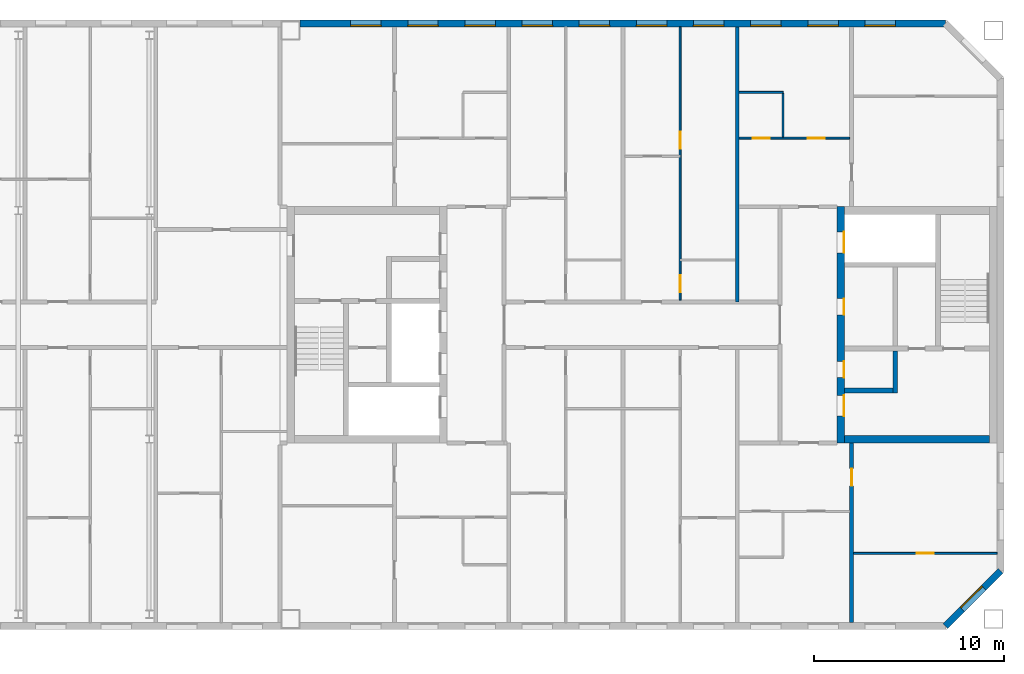
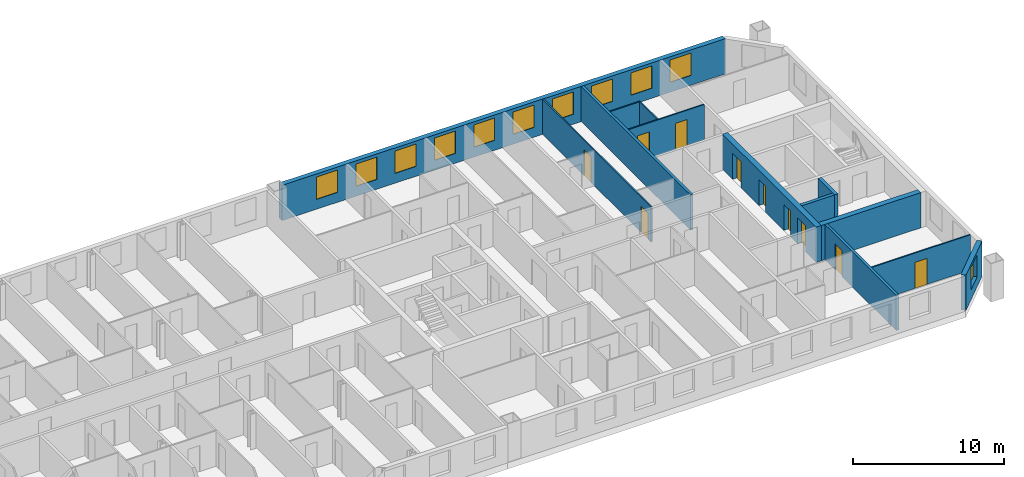
# One storey, part 16 of 19: 13 walls, 11 windows, 10 doors, 21 openings.
"""IFC4 building model written with IfcOpenShell, lengths in metres."""

from ifc_helpers import new_model, si_unit, direction, frame, frame_2d, origin, place, context, subcontext, project, spatial, rectangle, extrude, material, layer, layer_set, type_object, element, fill, save


model = new_model("IFC4")

# Units and contexts
model_context = context("Model", 3, precision=1e-05, world=origin(), true_north=direction((0.0, 1.0)))
body_context = subcontext(model_context, "Body", "Model", "MODEL_VIEW")
ifc_project = project(units=[si_unit("LENGTHUNIT", "METRE"), si_unit("AREAUNIT", "SQUARE_METRE"), si_unit("VOLUMEUNIT", "CUBIC_METRE"), si_unit("PLANEANGLEUNIT", "RADIAN"), si_unit("MASSUNIT", "GRAM", prefix="KILO")], contexts=[model_context])

# Site, building, storey
site_placement = place(None, origin())
site = spatial("IfcSite", under=ifc_project, at=site_placement, CompositionType="ELEMENT")
building_placement = place(site_placement, origin())
building = spatial("IfcBuilding", under=site, at=building_placement, Name="Tuart Gate Housing", CompositionType="ELEMENT")
storey_placement = place(building_placement, frame((0.0, 0.0, 202.800048828125)))
storey = spatial("IfcBuildingStorey", under=building, at=storey_placement, Name="L57", CompositionType="ELEMENT", Elevation=202.800048828125)

# Wall, opening, window
ifc_material_1 = material(Name="Brick", Category="masonry")
ifc_layer_1 = layer(ifc_material_1, 0.360107421875)
ifc_layer_set_1 = layer_set([ifc_layer_1], Name="Brick pier and spandrel wall 360")
wall_type_1 = type_object("IfcWallType", Name="Brick pier and spandrel wall 360", PredefinedType="STANDARD", material=ifc_layer_set_1)
wall_1_placement = place(storey_placement, frame((165.92529296875, 54.179931640625, 0.0), z_axis=(0.0, 0.0, 1.0), x_axis=(0.707106781187, 0.707106781187, 0.0)))
wall_1 = element("IfcWall", 1, at=wall_1_placement, inside=storey, type_object=wall_type_1, Name="External wall BLK-SE L57", PredefinedType="STANDARD", context=body_context, shape_type="SweptSolid", body=[
    extrude(rectangle(XDim=4.09375, YDim=0.360107421875, at=frame_2d((2.046875, 0.0))), origin(), (0.0, 0.0, 1.0), 2.849853515625),
])
opening_1_placement = place(wall_1_placement, frame((1.2470703125, 0.0, 0.800048828125)))
opening_1 = element("IfcOpeningElement", 2, at=opening_1_placement, cuts=wall_1, Name="Opening W1", PredefinedType="OPENING", context=body_context, shape_type="SweptSolid", body=[
    extrude(rectangle(XDim=1.60009765625, YDim=1.800048828125, at=frame_2d((0.800048828125, 0.89990234375))), frame((0.0, 0.18994140625, 0.0), z_axis=(0.0, -1.0, 0.0), x_axis=(1.0, 0.0, 0.0)), (0.0, 0.0, 1.0), 0.380126953125),
])
ifc_material_2 = material(Name="Aluminium frame with clear glass", Category="aluminium")
window_type = type_object("IfcWindowType", Name="Punched window 1600 x 1800", PartitioningType="SINGLE_PANEL", PredefinedType="WINDOW", material=ifc_material_2)
window_1_placement = place(opening_1_placement, origin())
window_1 = element("IfcWindow", 3, at=window_1_placement, inside=storey, type_object=window_type, Name="Window W1", OverallHeight=1.800048828125, OverallWidth=1.60009765625, PartitioningType="SINGLE_PANEL", PredefinedType="WINDOW", context=body_context, shape_type="SweptSolid", body=[
    extrude(rectangle(XDim=1.60009765625, YDim=1.800048828125, at=frame_2d((0.800048828125, 0.89990234375))), frame((0.0, 0.150146484375, 0.0), z_axis=(0.0, -1.0, 0.0), x_axis=(1.0, 0.0, 0.0)), (0.0, 0.0, 1.0), 0.06005859375),
])
fill(opening_1, window_1)

# Wall, openings, windows
wall_2_placement = place(storey_placement, frame((165.92529296875, 85.820068359375, 0.0), z_axis=(0.0, 0.0, 1.0), x_axis=(-1.0, 0.0, 0.0)))
wall_2 = element("IfcWall", 4, at=wall_2_placement, inside=storey, type_object=wall_type_1, Name="External wall BLK-N L57", PredefinedType="STANDARD", context=body_context, shape_type="SweptSolid", body=[
    extrude(rectangle(XDim=33.875244140625, YDim=0.360107421875, at=frame_2d((16.9375, 0.0))), origin(), (0.0, 0.0, 1.0), 2.849853515625),
])
opening_2_placement = place(wall_2_placement, frame((2.62548828125, 0.0, 0.800048828125)))
opening_2 = element("IfcOpeningElement", 5, at=opening_2_placement, cuts=wall_2, Name="Opening W1", PredefinedType="OPENING", context=body_context, shape_type="SweptSolid", body=[
    extrude(rectangle(XDim=1.60009765625, YDim=1.800048828125, at=frame_2d((0.800048828125, 0.89990234375))), frame((0.0, 0.18994140625, 0.0), z_axis=(0.0, -1.0, 0.0), x_axis=(1.0, 0.0, 0.0)), (0.0, 0.0, 1.0), 0.380126953125),
])
opening_3_placement = place(wall_2_placement, frame((5.62548828125, 0.0, 0.800048828125)))
opening_3 = element("IfcOpeningElement", 6, at=opening_3_placement, cuts=wall_2, Name="Opening W1", PredefinedType="OPENING", context=body_context, shape_type="SweptSolid", body=[
    extrude(rectangle(XDim=1.60009765625, YDim=1.800048828125, at=frame_2d((0.800048828125, 0.89990234375))), frame((0.0, 0.18994140625, 0.0), z_axis=(0.0, -1.0, 0.0), x_axis=(1.0, 0.0, 0.0)), (0.0, 0.0, 1.0), 0.380126953125),
])
opening_4_placement = place(wall_2_placement, frame((8.62548828125, 0.0, 0.800048828125)))
opening_4 = element("IfcOpeningElement", 7, at=opening_4_placement, cuts=wall_2, Name="Opening W1", PredefinedType="OPENING", context=body_context, shape_type="SweptSolid", body=[
    extrude(rectangle(XDim=1.60009765625, YDim=1.800048828125, at=frame_2d((0.800048828125, 0.89990234375))), frame((0.0, 0.18994140625, 0.0), z_axis=(0.0, -1.0, 0.0), x_axis=(1.0, 0.0, 0.0)), (0.0, 0.0, 1.0), 0.380126953125),
])
opening_5_placement = place(wall_2_placement, frame((11.62548828125, 0.0, 0.800048828125)))
opening_5 = element("IfcOpeningElement", 8, at=opening_5_placement, cuts=wall_2, Name="Opening W1", PredefinedType="OPENING", context=body_context, shape_type="SweptSolid", body=[
    extrude(rectangle(XDim=1.60009765625, YDim=1.800048828125, at=frame_2d((0.800048828125, 0.89990234375))), frame((0.0, 0.18994140625, 0.0), z_axis=(0.0, -1.0, 0.0), x_axis=(1.0, 0.0, 0.0)), (0.0, 0.0, 1.0), 0.380126953125),
])
opening_6_placement = place(wall_2_placement, frame((14.62548828125, 0.0, 0.800048828125)))
opening_6 = element("IfcOpeningElement", 9, at=opening_6_placement, cuts=wall_2, Name="Opening W1", PredefinedType="OPENING", context=body_context, shape_type="SweptSolid", body=[
    extrude(rectangle(XDim=1.60009765625, YDim=1.800048828125, at=frame_2d((0.800048828125, 0.89990234375))), frame((0.0, 0.18994140625, 0.0), z_axis=(0.0, -1.0, 0.0), x_axis=(1.0, 0.0, 0.0)), (0.0, 0.0, 1.0), 0.380126953125),
])
opening_7_placement = place(wall_2_placement, frame((17.62548828125, 0.0, 0.800048828125)))
opening_7 = element("IfcOpeningElement", 10, at=opening_7_placement, cuts=wall_2, Name="Opening W1", PredefinedType="OPENING", context=body_context, shape_type="SweptSolid", body=[
    extrude(rectangle(XDim=1.60009765625, YDim=1.800048828125, at=frame_2d((0.800048828125, 0.89990234375))), frame((0.0, 0.18994140625, 0.0), z_axis=(0.0, -1.0, 0.0), x_axis=(1.0, 0.0, 0.0)), (0.0, 0.0, 1.0), 0.380126953125),
])
opening_8_placement = place(wall_2_placement, frame((20.62548828125, 0.0, 0.800048828125)))
opening_8 = element("IfcOpeningElement", 11, at=opening_8_placement, cuts=wall_2, Name="Opening W1", PredefinedType="OPENING", context=body_context, shape_type="SweptSolid", body=[
    extrude(rectangle(XDim=1.60009765625, YDim=1.800048828125, at=frame_2d((0.800048828125, 0.89990234375))), frame((0.0, 0.18994140625, 0.0), z_axis=(0.0, -1.0, 0.0), x_axis=(1.0, 0.0, 0.0)), (0.0, 0.0, 1.0), 0.380126953125),
])
opening_9_placement = place(wall_2_placement, frame((23.62548828125, 0.0, 0.800048828125)))
opening_9 = element("IfcOpeningElement", 12, at=opening_9_placement, cuts=wall_2, Name="Opening W1", PredefinedType="OPENING", context=body_context, shape_type="SweptSolid", body=[
    extrude(rectangle(XDim=1.60009765625, YDim=1.800048828125, at=frame_2d((0.800048828125, 0.89990234375))), frame((0.0, 0.18994140625, 0.0), z_axis=(0.0, -1.0, 0.0), x_axis=(1.0, 0.0, 0.0)), (0.0, 0.0, 1.0), 0.380126953125),
])
opening_10_placement = place(wall_2_placement, frame((26.62548828125, 0.0, 0.800048828125)))
opening_10 = element("IfcOpeningElement", 13, at=opening_10_placement, cuts=wall_2, Name="Opening W1", PredefinedType="OPENING", context=body_context, shape_type="SweptSolid", body=[
    extrude(rectangle(XDim=1.60009765625, YDim=1.800048828125, at=frame_2d((0.800048828125, 0.89990234375))), frame((0.0, 0.18994140625, 0.0), z_axis=(0.0, -1.0, 0.0), x_axis=(1.0, 0.0, 0.0)), (0.0, 0.0, 1.0), 0.380126953125),
])
opening_11_placement = place(wall_2_placement, frame((29.62548828125, 0.0, 0.800048828125)))
opening_11 = element("IfcOpeningElement", 14, at=opening_11_placement, cuts=wall_2, Name="Opening W1", PredefinedType="OPENING", context=body_context, shape_type="SweptSolid", body=[
    extrude(rectangle(XDim=1.60009765625, YDim=1.800048828125, at=frame_2d((0.800048828125, 0.89990234375))), frame((0.0, 0.18994140625, 0.0), z_axis=(0.0, -1.0, 0.0), x_axis=(1.0, 0.0, 0.0)), (0.0, 0.0, 1.0), 0.380126953125),
])
window_2_placement = place(opening_2_placement, origin())
window_2 = element("IfcWindow", 15, at=window_2_placement, inside=storey, type_object=window_type, Name="Window W1", OverallHeight=1.800048828125, OverallWidth=1.60009765625, PartitioningType="SINGLE_PANEL", PredefinedType="WINDOW", context=body_context, shape_type="SweptSolid", body=[
    extrude(rectangle(XDim=1.60009765625, YDim=1.800048828125, at=frame_2d((0.800048828125, 0.89990234375))), frame((0.0, 0.150146484375, 0.0), z_axis=(0.0, -1.0, 0.0), x_axis=(1.0, 0.0, 0.0)), (0.0, 0.0, 1.0), 0.06005859375),
])
fill(opening_2, window_2)
window_3_placement = place(opening_3_placement, origin())
window_3 = element("IfcWindow", 16, at=window_3_placement, inside=storey, type_object=window_type, Name="Window W1", OverallHeight=1.800048828125, OverallWidth=1.60009765625, PartitioningType="SINGLE_PANEL", PredefinedType="WINDOW", context=body_context, shape_type="SweptSolid", body=[
    extrude(rectangle(XDim=1.60009765625, YDim=1.800048828125, at=frame_2d((0.800048828125, 0.89990234375))), frame((0.0, 0.150146484375, 0.0), z_axis=(0.0, -1.0, 0.0), x_axis=(1.0, 0.0, 0.0)), (0.0, 0.0, 1.0), 0.06005859375),
])
fill(opening_3, window_3)
window_4_placement = place(opening_4_placement, origin())
window_4 = element("IfcWindow", 17, at=window_4_placement, inside=storey, type_object=window_type, Name="Window W1", OverallHeight=1.800048828125, OverallWidth=1.60009765625, PartitioningType="SINGLE_PANEL", PredefinedType="WINDOW", context=body_context, shape_type="SweptSolid", body=[
    extrude(rectangle(XDim=1.60009765625, YDim=1.800048828125, at=frame_2d((0.800048828125, 0.89990234375))), frame((0.0, 0.150146484375, 0.0), z_axis=(0.0, -1.0, 0.0), x_axis=(1.0, 0.0, 0.0)), (0.0, 0.0, 1.0), 0.06005859375),
])
fill(opening_4, window_4)
window_5_placement = place(opening_5_placement, origin())
window_5 = element("IfcWindow", 18, at=window_5_placement, inside=storey, type_object=window_type, Name="Window W1", OverallHeight=1.800048828125, OverallWidth=1.60009765625, PartitioningType="SINGLE_PANEL", PredefinedType="WINDOW", context=body_context, shape_type="SweptSolid", body=[
    extrude(rectangle(XDim=1.60009765625, YDim=1.800048828125, at=frame_2d((0.800048828125, 0.89990234375))), frame((0.0, 0.150146484375, 0.0), z_axis=(0.0, -1.0, 0.0), x_axis=(1.0, 0.0, 0.0)), (0.0, 0.0, 1.0), 0.06005859375),
])
fill(opening_5, window_5)
window_6_placement = place(opening_6_placement, origin())
window_6 = element("IfcWindow", 19, at=window_6_placement, inside=storey, type_object=window_type, Name="Window W1", OverallHeight=1.800048828125, OverallWidth=1.60009765625, PartitioningType="SINGLE_PANEL", PredefinedType="WINDOW", context=body_context, shape_type="SweptSolid", body=[
    extrude(rectangle(XDim=1.60009765625, YDim=1.800048828125, at=frame_2d((0.800048828125, 0.89990234375))), frame((0.0, 0.150146484375, 0.0), z_axis=(0.0, -1.0, 0.0), x_axis=(1.0, 0.0, 0.0)), (0.0, 0.0, 1.0), 0.06005859375),
])
fill(opening_6, window_6)
window_7_placement = place(opening_7_placement, origin())
window_7 = element("IfcWindow", 20, at=window_7_placement, inside=storey, type_object=window_type, Name="Window W1", OverallHeight=1.800048828125, OverallWidth=1.60009765625, PartitioningType="SINGLE_PANEL", PredefinedType="WINDOW", context=body_context, shape_type="SweptSolid", body=[
    extrude(rectangle(XDim=1.60009765625, YDim=1.800048828125, at=frame_2d((0.800048828125, 0.89990234375))), frame((0.0, 0.150146484375, 0.0), z_axis=(0.0, -1.0, 0.0), x_axis=(1.0, 0.0, 0.0)), (0.0, 0.0, 1.0), 0.06005859375),
])
fill(opening_7, window_7)
window_8_placement = place(opening_8_placement, origin())
window_8 = element("IfcWindow", 21, at=window_8_placement, inside=storey, type_object=window_type, Name="Window W1", OverallHeight=1.800048828125, OverallWidth=1.60009765625, PartitioningType="SINGLE_PANEL", PredefinedType="WINDOW", context=body_context, shape_type="SweptSolid", body=[
    extrude(rectangle(XDim=1.60009765625, YDim=1.800048828125, at=frame_2d((0.800048828125, 0.89990234375))), frame((0.0, 0.150146484375, 0.0), z_axis=(0.0, -1.0, 0.0), x_axis=(1.0, 0.0, 0.0)), (0.0, 0.0, 1.0), 0.06005859375),
])
fill(opening_8, window_8)
window_9_placement = place(opening_9_placement, origin())
window_9 = element("IfcWindow", 22, at=window_9_placement, inside=storey, type_object=window_type, Name="Window W1", OverallHeight=1.800048828125, OverallWidth=1.60009765625, PartitioningType="SINGLE_PANEL", PredefinedType="WINDOW", context=body_context, shape_type="SweptSolid", body=[
    extrude(rectangle(XDim=1.60009765625, YDim=1.800048828125, at=frame_2d((0.800048828125, 0.89990234375))), frame((0.0, 0.150146484375, 0.0), z_axis=(0.0, -1.0, 0.0), x_axis=(1.0, 0.0, 0.0)), (0.0, 0.0, 1.0), 0.06005859375),
])
fill(opening_9, window_9)
window_10_placement = place(opening_10_placement, origin())
window_10 = element("IfcWindow", 23, at=window_10_placement, inside=storey, type_object=window_type, Name="Window W1", OverallHeight=1.800048828125, OverallWidth=1.60009765625, PartitioningType="SINGLE_PANEL", PredefinedType="WINDOW", context=body_context, shape_type="SweptSolid", body=[
    extrude(rectangle(XDim=1.60009765625, YDim=1.800048828125, at=frame_2d((0.800048828125, 0.89990234375))), frame((0.0, 0.150146484375, 0.0), z_axis=(0.0, -1.0, 0.0), x_axis=(1.0, 0.0, 0.0)), (0.0, 0.0, 1.0), 0.06005859375),
])
fill(opening_10, window_10)
window_11_placement = place(opening_11_placement, origin())
window_11 = element("IfcWindow", 24, at=window_11_placement, inside=storey, type_object=window_type, Name="Window W1", OverallHeight=1.800048828125, OverallWidth=1.60009765625, PartitioningType="SINGLE_PANEL", PredefinedType="WINDOW", context=body_context, shape_type="SweptSolid", body=[
    extrude(rectangle(XDim=1.60009765625, YDim=1.800048828125, at=frame_2d((0.800048828125, 0.89990234375))), frame((0.0, 0.150146484375, 0.0), z_axis=(0.0, -1.0, 0.0), x_axis=(1.0, 0.0, 0.0)), (0.0, 0.0, 1.0), 0.06005859375),
])
fill(opening_11, window_11)

# Walls
ifc_material_3 = material(Name="Concrete C40", Category="concrete")
ifc_layer_2 = layer(ifc_material_3, 0.25)
ifc_layer_set_2 = layer_set([ifc_layer_2], Name="Core wall 250 C40")
wall_type_2 = type_object("IfcWallType", Name="Core wall 250 C40", PredefinedType="SHEAR", material=ifc_layer_set_2)
wall_3_placement = place(storey_placement, frame((160.639892578125, 66.550048828125, 0.0), z_axis=(0.0, 0.0, 1.0), x_axis=(1.0, 0.0, 0.0)))
element("IfcWall", 25, at=wall_3_placement, inside=storey, type_object=wall_type_2, Name="Core wall BK.3", PredefinedType="SHEAR", context=body_context, shape_type="SweptSolid", body=[
    extrude(rectangle(XDim=2.525146484375, YDim=0.25, at=frame_2d((1.2626953125, 0.0))), origin(), (0.0, 0.0, 1.0), 2.849853515625),
])
wall_4_placement = place(storey_placement, frame((163.2900390625, 68.625, 0.0), z_axis=(0.0, 0.0, 1.0), x_axis=(0.0, -1.0, 0.0)))
element("IfcWall", 26, at=wall_4_placement, inside=storey, type_object=wall_type_2, Name="Core wall BK.5", PredefinedType="SHEAR", context=body_context, shape_type="SweptSolid", body=[
    extrude(rectangle(XDim=2.199951171875, YDim=0.25, at=frame_2d((1.10009765625, 0.0))), origin(), (0.0, 0.0, 1.0), 2.849853515625),
])

# Wall, openings, doors
ifc_material_4 = material(Name="Concrete C40", Category="concrete")
ifc_layer_3 = layer(ifc_material_4, 0.39990234375)
ifc_layer_set_3 = layer_set([ifc_layer_3], Name="Core wall 400 C40")
wall_type_3 = type_object("IfcWallType", Name="Core wall 400 C40", PredefinedType="SHEAR", material=ifc_layer_set_3)
wall_5_placement = place(storey_placement, frame((160.43994140625, 76.199951171875, 0.0), z_axis=(0.0, 0.0, 1.0), x_axis=(0.0, -1.0, 0.0)))
wall_5 = element("IfcWall", 27, at=wall_5_placement, inside=storey, type_object=wall_type_3, Name="Core wall BK front", PredefinedType="SHEAR", context=body_context, shape_type="SweptSolid", body=[
    extrude(rectangle(XDim=12.39990234375, YDim=0.39990234375, at=frame_2d((6.199951171875, 0.0))), origin(), (0.0, 0.0, 1.0), 2.849853515625),
])
opening_12_placement = place(wall_5_placement, frame((1.324951171875, 0.0, 0.0)))
opening_12 = element("IfcOpeningElement", 28, at=opening_12_placement, cuts=wall_5, Name="Opening LD-FB2", PredefinedType="OPENING", context=body_context, shape_type="SweptSolid", body=[
    extrude(rectangle(XDim=1.10009765625, YDim=2.10009765625, at=frame_2d((0.550048828125, 1.050048828125))), frame((0.0, 0.2099609375, 0.0), z_axis=(0.0, -1.0, 0.0), x_axis=(1.0, 0.0, 0.0)), (0.0, 0.0, 1.0), 0.419921875),
])
opening_13_placement = place(wall_5_placement, frame((4.824951171875, 0.0, 0.0)))
opening_13 = element("IfcOpeningElement", 29, at=opening_13_placement, cuts=wall_5, Name="Opening D2086", PredefinedType="OPENING", context=body_context, shape_type="SweptSolid", body=[
    extrude(rectangle(XDim=0.85009765625, YDim=2.10009765625, at=frame_2d((0.425048828125, 1.050048828125))), frame((0.0, 0.2099609375, 0.0), z_axis=(0.0, -1.0, 0.0), x_axis=(1.0, 0.0, 0.0)), (0.0, 0.0, 1.0), 0.419921875),
])
opening_14_placement = place(wall_5_placement, frame((9.89990234375, 0.0, 0.0)))
opening_14 = element("IfcOpeningElement", 30, at=opening_14_placement, cuts=wall_5, Name="Opening D2085", PredefinedType="OPENING", context=body_context, shape_type="SweptSolid", body=[
    extrude(rectangle(XDim=1.10009765625, YDim=2.10009765625, at=frame_2d((0.550048828125, 1.050048828125))), frame((0.0, 0.2099609375, 0.0), z_axis=(0.0, -1.0, 0.0), x_axis=(1.0, 0.0, 0.0)), (0.0, 0.0, 1.0), 0.419921875),
])
opening_15_placement = place(wall_5_placement, frame((8.125, 0.0, 0.0)))
opening_15 = element("IfcOpeningElement", 31, at=opening_15_placement, cuts=wall_5, Name="Opening D2087", PredefinedType="OPENING", context=body_context, shape_type="SweptSolid", body=[
    extrude(rectangle(XDim=0.85009765625, YDim=2.10009765625, at=frame_2d((0.425048828125, 1.050048828125))), frame((0.0, 0.2099609375, 0.0), z_axis=(0.0, -1.0, 0.0), x_axis=(1.0, 0.0, 0.0)), (0.0, 0.0, 1.0), 0.419921875),
])
ifc_material_5 = material(Name="Stainless steel", Category="steel")
door_type_1 = type_object("IfcDoorType", Name="Landing door 1100 x 2100", OperationType="DOUBLE_DOOR_SLIDING", PredefinedType="DOOR", material=ifc_material_5)
door_1_placement = place(opening_12_placement, origin())
door_1 = element("IfcDoor", 32, at=door_1_placement, inside=storey, type_object=door_type_1, Name="Lift landing door FB2", OperationType="DOUBLE_DOOR_SLIDING", OverallHeight=2.10009765625, OverallWidth=1.10009765625, PredefinedType="DOOR", context=body_context, shape_type="SweptSolid", body=[
    extrude(rectangle(XDim=1.10009765625, YDim=2.10009765625, at=frame_2d((0.550048828125, 1.050048828125))), frame((0.0, 0.18505859375, 0.0), z_axis=(0.0, -1.0, 0.0), x_axis=(1.0, 0.0, 0.0)), (0.0, 0.0, 1.0), 0.050048828125),
])
fill(opening_12, door_1)
ifc_material_6 = material(Name="Steel fire door", Category="steel")
door_type_2 = type_object("IfcDoorType", Name="Lobby door 1100 x 2100", OperationType="SINGLE_SWING_LEFT", PredefinedType="DOOR", material=ifc_material_6)
door_2_placement = place(opening_14_placement, origin())
door_2 = element("IfcDoor", 33, at=door_2_placement, inside=storey, type_object=door_type_2, Name="Lobby entry door BK.EN", OperationType="SINGLE_SWING_LEFT", OverallHeight=2.10009765625, OverallWidth=1.10009765625, PredefinedType="DOOR", context=body_context, shape_type="SweptSolid", body=[
    extrude(rectangle(XDim=1.10009765625, YDim=2.10009765625, at=frame_2d((0.550048828125, 1.050048828125))), frame((0.0, 0.18505859375, 0.0), z_axis=(0.0, -1.0, 0.0), x_axis=(1.0, 0.0, 0.0)), (0.0, 0.0, 1.0), 0.050048828125),
])
fill(opening_14, door_2)
ifc_material_7 = material(Name="Steel fire door", Category="steel")
door_type_3 = type_object("IfcDoorType", Name="Service door 850 x 2100", OperationType="SINGLE_SWING_LEFT", PredefinedType="DOOR", material=ifc_material_7)
door_3_placement = place(opening_13_placement, origin())
door_3 = element("IfcDoor", 34, at=door_3_placement, inside=storey, type_object=door_type_3, Name="Service room door BK.FR1", OperationType="SINGLE_SWING_LEFT", OverallHeight=2.10009765625, OverallWidth=0.85009765625, PredefinedType="DOOR", context=body_context, shape_type="SweptSolid", body=[
    extrude(rectangle(XDim=0.85009765625, YDim=2.10009765625, at=frame_2d((0.425048828125, 1.050048828125))), frame((0.0, 0.18505859375, 0.0), z_axis=(0.0, -1.0, 0.0), x_axis=(1.0, 0.0, 0.0)), (0.0, 0.0, 1.0), 0.050048828125),
])
fill(opening_13, door_3)
door_4_placement = place(opening_15_placement, origin())
door_4 = element("IfcDoor", 35, at=door_4_placement, inside=storey, type_object=door_type_3, Name="Service room door BK.T1", OperationType="SINGLE_SWING_LEFT", OverallHeight=2.10009765625, OverallWidth=0.85009765625, PredefinedType="DOOR", context=body_context, shape_type="SweptSolid", body=[
    extrude(rectangle(XDim=0.85009765625, YDim=2.10009765625, at=frame_2d((0.425048828125, 1.050048828125))), frame((0.0, 0.18505859375, 0.0), z_axis=(0.0, -1.0, 0.0), x_axis=(1.0, 0.0, 0.0)), (0.0, 0.0, 1.0), 0.050048828125),
])
fill(opening_15, door_4)

# Wall
wall_6_placement = place(storey_placement, frame((160.639892578125, 64.0, 0.0), z_axis=(0.0, 0.0, 1.0), x_axis=(1.0, 0.0, 0.0)))
element("IfcWall", 36, at=wall_6_placement, inside=storey, type_object=wall_type_3, Name="Core wall BK north", PredefinedType="SHEAR", context=body_context, shape_type="SweptSolid", body=[
    extrude(rectangle(XDim=7.60009765625, YDim=0.39990234375, at=frame_2d((3.800048828125, 0.0))), origin(), (0.0, 0.0, 1.0), 2.849853515625),
])

# Wall, opening, door
ifc_material_8 = material(Name="Gypsum board on steel studs", Category="steel")
ifc_layer_4 = layer(ifc_material_8, 0.10009765625)
ifc_layer_set_4 = layer_set([ifc_layer_4], Name="Partition 100")
wall_type_4 = type_object("IfcWallType", Name="Partition 100", PredefinedType="PARTITIONING", material=ifc_layer_set_4)
wall_7_placement = place(storey_placement, frame((161.10009765625, 58.0, 0.0), z_axis=(0.0, 0.0, 1.0), x_axis=(1.0, 0.0, 0.0)))
wall_7 = element("IfcWall", 37, at=wall_7_placement, inside=storey, type_object=wall_type_4, Name="Partition 100", PredefinedType="PARTITIONING", context=body_context, shape_type="SweptSolid", body=[
    extrude(rectangle(XDim=7.539794921875, YDim=0.10009765625, at=frame_2d((3.77001953125, 0.0))), origin(), (0.0, 0.0, 1.0), 2.849853515625),
])
opening_16_placement = place(wall_7_placement, frame((3.320068359375, 0.0, 0.0)))
opening_16 = element("IfcOpeningElement", 38, at=opening_16_placement, cuts=wall_7, Name="Opening D2108", PredefinedType="OPENING", context=body_context, shape_type="SweptSolid", body=[
    extrude(rectangle(XDim=0.89990234375, YDim=2.10009765625, at=frame_2d((0.449951171875, 1.050048828125))), frame((0.0, 0.06005859375, 0.0), z_axis=(0.0, -1.0, 0.0), x_axis=(1.0, 0.0, 0.0)), (0.0, 0.0, 1.0), 0.1201171875),
])
ifc_material_9 = material(Name="Timber door leaf in steel frame", Category="steel")
door_type_4 = type_object("IfcDoorType", Name="Internal door 900", OperationType="SINGLE_SWING_LEFT", PredefinedType="DOOR", material=ifc_material_9)
door_5_placement = place(opening_16_placement, frame((0.89990234375, 0.0, 0.0), z_axis=(0.0, 0.0, 1.0), x_axis=(-1.0, 0.0, 0.0)))
door_5 = element("IfcDoor", 39, at=door_5_placement, inside=storey, type_object=door_type_4, Name="Internal door", OperationType="SINGLE_SWING_LEFT", OverallHeight=2.10009765625, OverallWidth=0.89990234375, PredefinedType="DOOR", context=body_context, shape_type="SweptSolid", body=[
    extrude(rectangle(XDim=0.89990234375, YDim=2.10009765625, at=frame_2d((0.449951171875, 1.050048828125))), frame((0.0, 0.025146484375, 0.0), z_axis=(0.0, -1.0, 0.0), x_axis=(1.0, 0.0, 0.0)), (0.0, 0.0, 1.0), 0.050048828125),
])
fill(opening_16, door_5)

# Wall, openings, doors
wall_8_placement = place(storey_placement, frame((155.10009765625, 79.800048828125, 0.0), z_axis=(0.0, 0.0, 1.0), x_axis=(1.0, 0.0, 0.0)))
wall_8 = element("IfcWall", 40, at=wall_8_placement, inside=storey, type_object=wall_type_4, Name="Partition 100", PredefinedType="PARTITIONING", context=body_context, shape_type="SweptSolid", body=[
    extrude(rectangle(XDim=5.7998046875, YDim=0.10009765625, at=frame_2d((2.89990234375, 0.0))), origin(), (0.0, 0.0, 1.0), 2.849853515625),
])
opening_17_placement = place(wall_8_placement, frame((3.60009765625, 0.0, 0.0)))
opening_17 = element("IfcOpeningElement", 41, at=opening_17_placement, cuts=wall_8, Name="Opening D2067", PredefinedType="OPENING", context=body_context, shape_type="SweptSolid", body=[
    extrude(rectangle(XDim=0.89990234375, YDim=2.10009765625, at=frame_2d((0.449951171875, 1.050048828125))), frame((0.0, 0.06005859375, 0.0), z_axis=(0.0, -1.0, 0.0), x_axis=(1.0, 0.0, 0.0)), (0.0, 0.0, 1.0), 0.1201171875),
])
opening_18_placement = place(wall_8_placement, frame((0.699951171875, 0.0, 0.0)))
opening_18 = element("IfcOpeningElement", 42, at=opening_18_placement, cuts=wall_8, Name="Opening D2066", PredefinedType="OPENING", context=body_context, shape_type="SweptSolid", body=[
    extrude(rectangle(XDim=0.89990234375, YDim=2.10009765625, at=frame_2d((0.449951171875, 1.050048828125))), frame((0.0, 0.06005859375, 0.0), z_axis=(0.0, -1.0, 0.0), x_axis=(1.0, 0.0, 0.0)), (0.0, 0.0, 1.0), 0.1201171875),
])
ifc_material_10 = material(Name="Timber door leaf in steel frame", Category="steel")
door_type_5 = type_object("IfcDoorType", Name="Bathroom door 900 RH", OperationType="SINGLE_SWING_RIGHT", PredefinedType="DOOR", material=ifc_material_10)
door_6_placement = place(opening_18_placement, origin())
door_6 = element("IfcDoor", 43, at=door_6_placement, inside=storey, type_object=door_type_5, Name="Bathroom door", OperationType="SINGLE_SWING_RIGHT", OverallHeight=2.10009765625, OverallWidth=0.89990234375, PredefinedType="DOOR", context=body_context, shape_type="SweptSolid", body=[
    extrude(rectangle(XDim=0.89990234375, YDim=2.10009765625, at=frame_2d((0.449951171875, 1.050048828125))), frame((0.0, 0.02490234375, 0.0), z_axis=(0.0, -1.0, 0.0), x_axis=(1.0, 0.0, 0.0)), (0.0, 0.0, 1.0), 0.050048828125),
])
fill(opening_18, door_6)
door_7_placement = place(opening_17_placement, origin())
door_7 = element("IfcDoor", 44, at=door_7_placement, inside=storey, type_object=door_type_4, Name="Internal door", OperationType="SINGLE_SWING_LEFT", OverallHeight=2.10009765625, OverallWidth=0.89990234375, PredefinedType="DOOR", context=body_context, shape_type="SweptSolid", body=[
    extrude(rectangle(XDim=0.89990234375, YDim=2.10009765625, at=frame_2d((0.449951171875, 1.050048828125))), frame((0.0, 0.02490234375, 0.0), z_axis=(0.0, -1.0, 0.0), x_axis=(1.0, 0.0, 0.0)), (0.0, 0.0, 1.0), 0.050048828125),
])
fill(opening_17, door_7)

# Wall
wall_9_placement = place(storey_placement, frame((155.10009765625, 82.199951171875, 0.0), z_axis=(0.0, 0.0, 1.0), x_axis=(1.0, 0.0, 0.0)))
element("IfcWall", 45, at=wall_9_placement, inside=storey, type_object=wall_type_4, Name="Partition 100", PredefinedType="PARTITIONING", context=body_context, shape_type="SweptSolid", body=[
    extrude(rectangle(XDim=2.2998046875, YDim=0.10009765625, at=frame_2d((1.14990234375, 0.0))), origin(), (0.0, 0.0, 1.0), 2.849853515625),
])

# Wall, openings, doors
wall_10_placement = place(storey_placement, frame((152.0, 71.300048828125, 0.0), z_axis=(0.0, 0.0, 1.0), x_axis=(0.0, 1.0, 0.0)))
wall_10 = element("IfcWall", 46, at=wall_10_placement, inside=storey, type_object=wall_type_4, Name="Partition 100", PredefinedType="PARTITIONING", context=body_context, shape_type="SweptSolid", body=[
    extrude(rectangle(XDim=14.33984375, YDim=0.10009765625, at=frame_2d((7.169921875, 0.0))), origin(), (0.0, 0.0, 1.0), 2.849853515625),
])
opening_19_placement = place(wall_10_placement, frame((7.93994140625, 0.0, 0.0)))
opening_19 = element("IfcOpeningElement", 47, at=opening_19_placement, cuts=wall_10, Name="Opening D2072", PredefinedType="OPENING", context=body_context, shape_type="SweptSolid", body=[
    extrude(rectangle(XDim=0.89990234375, YDim=2.10009765625, at=frame_2d((0.449951171875, 1.050048828125))), frame((0.0, 0.06005859375, 0.0), z_axis=(0.0, -1.0, 0.0), x_axis=(1.0, 0.0, 0.0)), (0.0, 0.0, 1.0), 0.1201171875),
])
opening_20_placement = place(wall_10_placement, frame((0.39990234375, 0.0, 0.0)))
opening_20 = element("IfcOpeningElement", 48, at=opening_20_placement, cuts=wall_10, Name="Opening D2071", PredefinedType="OPENING", context=body_context, shape_type="SweptSolid", body=[
    extrude(rectangle(XDim=0.89990234375, YDim=2.10009765625, at=frame_2d((0.449951171875, 1.050048828125))), frame((0.0, 0.06005859375, 0.0), z_axis=(0.0, -1.0, 0.0), x_axis=(1.0, 0.0, 0.0)), (0.0, 0.0, 1.0), 0.1201171875),
])
door_8_placement = place(opening_20_placement, frame((0.89990234375, 0.0, 0.0), z_axis=(0.0, 0.0, 1.0), x_axis=(-1.0, 0.0, 0.0)))
door_8 = element("IfcDoor", 49, at=door_8_placement, inside=storey, type_object=door_type_5, Name="Bathroom door", OperationType="SINGLE_SWING_RIGHT", OverallHeight=2.10009765625, OverallWidth=0.89990234375, PredefinedType="DOOR", context=body_context, shape_type="SweptSolid", body=[
    extrude(rectangle(XDim=0.89990234375, YDim=2.10009765625, at=frame_2d((0.449951171875, 1.050048828125))), frame((0.0, 0.025146484375, 0.0), z_axis=(0.0, -1.0, 0.0), x_axis=(1.0, 0.0, 0.0)), (0.0, 0.0, 1.0), 0.050048828125),
])
fill(opening_20, door_8)
door_9_placement = place(opening_19_placement, frame((0.89990234375, 0.0, 0.0), z_axis=(0.0, 0.0, 1.0), x_axis=(-1.0, 0.0, 0.0)))
door_9 = element("IfcDoor", 50, at=door_9_placement, inside=storey, type_object=door_type_4, Name="Internal door", OperationType="SINGLE_SWING_LEFT", OverallHeight=2.10009765625, OverallWidth=0.89990234375, PredefinedType="DOOR", context=body_context, shape_type="SweptSolid", body=[
    extrude(rectangle(XDim=0.89990234375, YDim=2.10009765625, at=frame_2d((0.449951171875, 1.050048828125))), frame((0.0, 0.025146484375, 0.0), z_axis=(0.0, -1.0, 0.0), x_axis=(1.0, 0.0, 0.0)), (0.0, 0.0, 1.0), 0.050048828125),
])
fill(opening_19, door_9)

# Walls
wall_11_placement = place(storey_placement, frame((157.39990234375, 79.85009765625, 0.0), z_axis=(0.0, 0.0, 1.0), x_axis=(0.0, 1.0, 0.0)))
element("IfcWall", 51, at=wall_11_placement, inside=storey, type_object=wall_type_4, Name="Partition 100", PredefinedType="PARTITIONING", context=body_context, shape_type="SweptSolid", body=[
    extrude(rectangle(XDim=2.2998046875, YDim=0.10009765625, at=frame_2d((1.14990234375, 0.0))), origin(), (0.0, 0.0, 1.0), 2.849853515625),
])
ifc_material_11 = material(Name="Concrete C40", Category="concrete")
ifc_layer_5 = layer(ifc_material_11, 0.199951171875)
ifc_layer_set_5 = layer_set([ifc_layer_5], Name="Party wall concrete C40 200")
wall_type_5 = type_object("IfcWallType", Name="Party wall concrete C40 200", PredefinedType="SOLIDWALL", material=ifc_layer_set_5)
wall_12_placement = place(storey_placement, frame((155.0, 71.199951171875, 0.0), z_axis=(0.0, 0.0, 1.0), x_axis=(0.0, 1.0, 0.0)))
element("IfcWall", 52, at=wall_12_placement, inside=storey, type_object=wall_type_5, Name="Party wall concrete C40 200", PredefinedType="SOLIDWALL", context=body_context, shape_type="SweptSolid", body=[
    extrude(rectangle(XDim=14.43994140625, YDim=0.199951171875, at=frame_2d((7.219970703125, 0.0))), origin(), (0.0, 0.0, 1.0), 2.849853515625),
])

# Wall, opening, door
wall_13_placement = place(storey_placement, frame((161.0, 54.360107421875, 0.0), z_axis=(0.0, 0.0, 1.0), x_axis=(0.0, 1.0, 0.0)))
wall_13 = element("IfcWall", 53, at=wall_13_placement, inside=storey, type_object=wall_type_5, Name="Party wall concrete C40 200", PredefinedType="SOLIDWALL", context=body_context, shape_type="SweptSolid", body=[
    extrude(rectangle(XDim=9.43994140625, YDim=0.199951171875, at=frame_2d((4.719970703125, 0.0))), origin(), (0.0, 0.0, 1.0), 2.849853515625),
])
opening_21_placement = place(wall_13_placement, frame((7.18994140625, 0.0, 0.0)))
opening_21 = element("IfcOpeningElement", 54, at=opening_21_placement, cuts=wall_13, Name="Opening D2107", PredefinedType="OPENING", context=body_context, shape_type="SweptSolid", body=[
    extrude(rectangle(XDim=0.89990234375, YDim=2.10009765625, at=frame_2d((0.449951171875, 1.050048828125))), frame((0.0, 0.10986328125, 0.0), z_axis=(0.0, -1.0, 0.0), x_axis=(1.0, 0.0, 0.0)), (0.0, 0.0, 1.0), 0.219970703125),
])
door_10_placement = place(opening_21_placement, origin())
door_10 = element("IfcDoor", 55, at=door_10_placement, inside=storey, type_object=door_type_4, Name="Internal door", OperationType="SINGLE_SWING_LEFT", OverallHeight=2.10009765625, OverallWidth=0.89990234375, PredefinedType="DOOR", context=body_context, shape_type="SweptSolid", body=[
    extrude(rectangle(XDim=0.89990234375, YDim=2.10009765625, at=frame_2d((0.449951171875, 1.050048828125))), frame((0.0, 0.02490234375, 0.0), z_axis=(0.0, -1.0, 0.0), x_axis=(1.0, 0.0, 0.0)), (0.0, 0.0, 1.0), 0.050048828125),
])
fill(opening_21, door_10)

save(model, "model.ifc")
